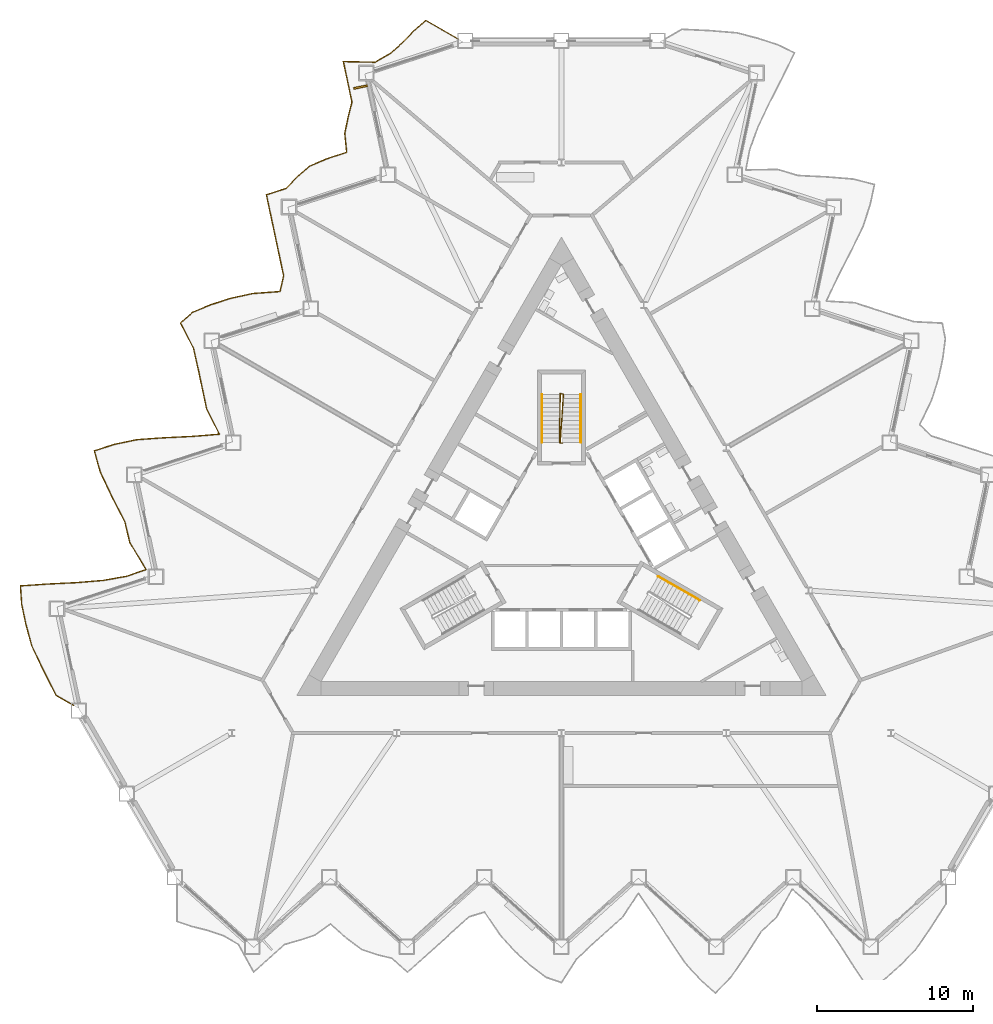
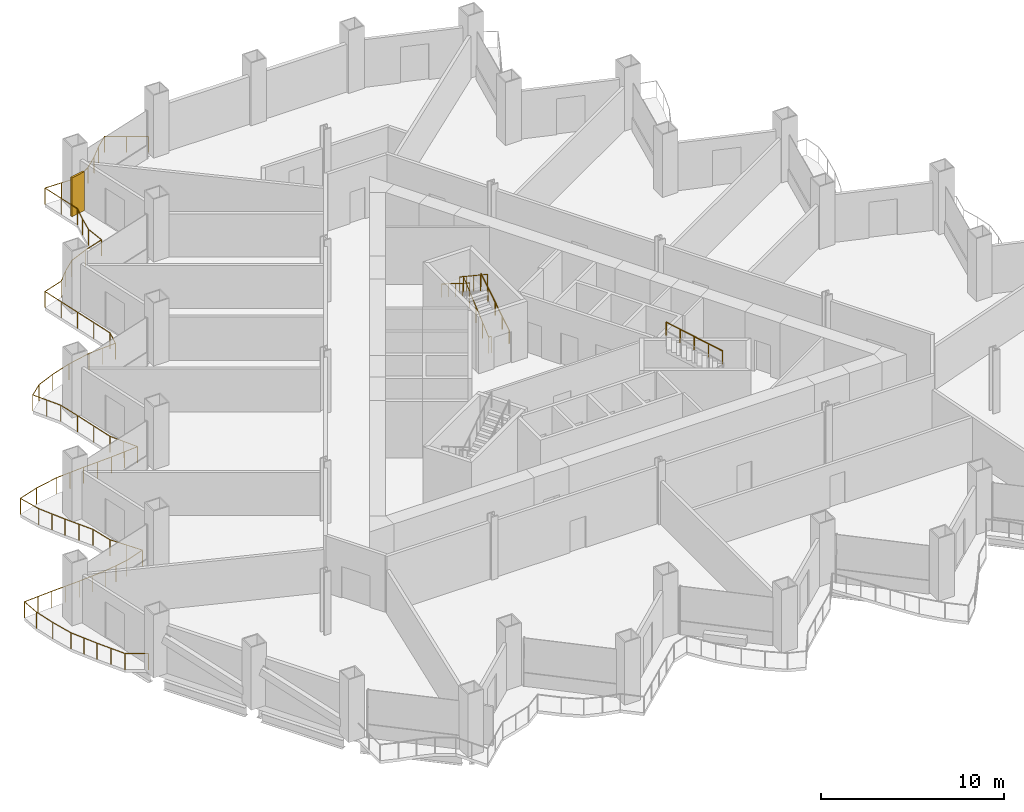
# One storey, part 18 of 21: 5 railings, 1 shading device.
"""IFC4 building model written with IfcOpenShell, lengths in metres."""

from ifc_helpers import new_model, si_unit, direction, frame, origin, origin_2d, place, context, subcontext, project, spatial, rectangle, circle, extrude, material, layer, layer_set, type_object, element, save


model = new_model("IFC4")

# Units and contexts
model_context = context("Model", 3, precision=1e-05, world=origin(), true_north=direction((0.0, 1.0)))
body_context = subcontext(model_context, "Body", "Model", "MODEL_VIEW")
ifc_project = project(units=[si_unit("LENGTHUNIT", "METRE"), si_unit("AREAUNIT", "SQUARE_METRE"), si_unit("VOLUMEUNIT", "CUBIC_METRE"), si_unit("PLANEANGLEUNIT", "RADIAN"), si_unit("MASSUNIT", "GRAM", prefix="KILO")], contexts=[model_context])

# Site, building, storey
site_placement = place(None, origin())
site = spatial("IfcSite", under=ifc_project, at=site_placement, CompositionType="ELEMENT")
building_placement = place(site_placement, origin())
building = spatial("IfcBuilding", under=site, at=building_placement, Name="Cormorant Prow Tower", CompositionType="ELEMENT")
storey_placement = place(building_placement, frame((0.0, 0.0, 76.199951171875)))
storey = spatial("IfcBuildingStorey", under=building, at=storey_placement, Name="L16", CompositionType="ELEMENT", Elevation=76.199951171875)

# Railings
ifc_material_1 = material(Name="Aluminium 6063-T6", Category="aluminium")
railing_type_1 = type_object("IfcRailingType", Name="Balcony guard 1100", PredefinedType="GUARDRAIL", material=ifc_material_1)
railing_1_placement = place(storey_placement, frame((-6.626953125, 32.349609375, 0.0)))
element("IfcRailing", 1, at=railing_1_placement, inside=storey, type_object=railing_type_1, Name="Balcony guard WNW", PredefinedType="GUARDRAIL", context=body_context, shape_type="SweptSolid", body=[
    extrude(circle(Radius=0.02392578125, at=origin_2d()), frame((0.0, 0.0, 1.076171875), z_axis=(-0.866028295127, 0.499994992015, 0.0), x_axis=(-0.499994992015, -0.866028295127, 0.0)), (0.0, 0.0, 1.0), 2.40380859375),
    extrude(circle(Radius=0.02392578125, at=origin_2d()), frame((-2.081787109375, 1.201904296875, 1.076171875), z_axis=(-0.749229047054, -0.66231098062, 0.0), x_axis=(0.66231098062, -0.749229047054, 0.0)), (0.0, 0.0, 1.0), 1.0419921875),
    extrude(circle(Radius=0.02392578125, at=origin_2d()), frame((-2.862548828125, 0.51171875, 1.076171875), z_axis=(-0.69342501666, -0.720528796281, 0.0), x_axis=(0.720528796281, -0.69342501666, 0.0)), (0.0, 0.0, 1.0), 1.017822265625),
    extrude(circle(Radius=0.02392578125, at=origin_2d()), frame((-3.568359375, -0.2216796875, 1.076171875), z_axis=(-0.748365447729, -0.663286632343, 0.0), x_axis=(0.663286632343, -0.748365447729, 0.0)), (0.0, 0.0, 1.0), 1.041748046875),
    extrude(circle(Radius=0.02392578125, at=origin_2d()), frame((-4.347900390625, -0.91259765625, 1.076171875), z_axis=(-0.863584291732, -0.504204493309, 0.0), x_axis=(0.504204493309, -0.863584291732, 0.0)), (0.0, 0.0, 1.0), 1.137939453125),
    extrude(circle(Radius=0.02392578125, at=origin_2d()), frame((-5.33056640625, -1.486328125, 1.076171875), z_axis=(-0.999789979048, 0.020493847741, 0.0), x_axis=(-0.020493847741, -0.999789979048, 0.0)), (0.0, 0.0, 1.0), 2.049072265625),
    extrude(circle(Radius=0.02392578125, at=origin_2d()), frame((-7.379150390625, -1.4443359375, 1.076171875), z_axis=(0.207860951936, -0.978158384241, 0.0), x_axis=(0.978158384241, 0.207860951936, 0.0)), (0.0, 0.0, 1.0), 1.32958984375),
    extrude(circle(Radius=0.02392578125, at=origin_2d()), frame((-7.102783203125, -2.744873046875, 1.076171875), z_axis=(0.208036630987, -0.978121035541, 0.0), x_axis=(0.978121035541, 0.208036630987, 0.0)), (0.0, 0.0, 1.0), 1.32958984375),
    extrude(circle(Radius=0.02392578125, at=origin_2d()), frame((-6.826171875, -4.04541015625, 1.076171875), z_axis=(-0.244828025554, -0.969566520618, 0.0), x_axis=(0.969566520618, -0.244828025554, 0.0)), (0.0, 0.0, 1.0), 1.027099609375),
    extrude(circle(Radius=0.02392578125, at=origin_2d()), frame((-7.07763671875, -5.041259765625, 1.076171875), z_axis=(-0.202698696086, -0.979241154469, 0.0), x_axis=(0.979241154469, -0.202698696086, 0.0)), (0.0, 0.0, 1.0), 1.04052734375),
    extrude(circle(Radius=0.02392578125, at=origin_2d()), frame((-7.28857421875, -6.060302734375, 1.076171875), z_axis=(0.10063500959, -0.994923411547, 0.0), x_axis=(0.994923411547, 0.10063500959, 0.0)), (0.0, 0.0, 1.0), 1.2177734375),
    extrude(circle(Radius=0.02392578125, at=origin_2d()), frame((-7.166015625, -7.27197265625, 1.076171875), z_axis=(-0.951061050214, -0.30900304006, 0.0), x_axis=(0.30900304006, -0.951061050214, 0.0)), (0.0, 0.0, 1.0), 1.329833984375),
    extrude(circle(Radius=0.02392578125, at=origin_2d()), frame((-8.4306640625, -7.682861328125, 1.076171875), z_axis=(-0.919052898332, -0.394134203117, 0.0), x_axis=(0.394134203117, -0.919052898332, 0.0)), (0.0, 0.0, 1.0), 1.23388671875),
    extrude(circle(Radius=0.02392578125, at=origin_2d()), frame((-9.564697265625, -8.169189453125, 1.076171875), z_axis=(-0.752663621362, -0.658405249886, 0.0), x_axis=(0.658405249886, -0.752663621362, 0.0)), (0.0, 0.0, 1.0), 1.043701171875),
    extrude(circle(Radius=0.02392578125, at=origin_2d()), frame((-10.350341796875, -8.8564453125, 1.076171875), z_axis=(-0.69342501666, -0.720528796281, 0.0), x_axis=(0.720528796281, -0.69342501666, 0.0)), (0.0, 0.0, 1.0), 1.017822265625),
    extrude(circle(Radius=0.02392578125, at=origin_2d()), frame((-11.05615234375, -9.58984375, 1.076171875), z_axis=(-0.950811038032, -0.309771480217, 0.0), x_axis=(0.309771480217, -0.950811038032, 0.0)), (0.0, 0.0, 1.0), 1.328857421875),
    extrude(circle(Radius=0.02392578125, at=origin_2d()), frame((-12.319580078125, -10.00146484375, 1.076171875), z_axis=(0.207860951936, -0.978158384241, 0.0), x_axis=(0.978158384241, 0.207860951936, 0.0)), (0.0, 0.0, 1.0), 1.32958984375),
    extrude(circle(Radius=0.02392578125, at=origin_2d()), frame((-12.043212890625, -11.302001953125, 1.076171875), z_axis=(0.207860951936, -0.978158384241, 0.0), x_axis=(0.978158384241, 0.207860951936, 0.0)), (0.0, 0.0, 1.0), 1.32958984375),
    extrude(circle(Radius=0.02392578125, at=origin_2d()), frame((-11.766845703125, -12.6025390625, 1.076171875), z_axis=(0.208036630987, -0.978121035541, 0.0), x_axis=(0.978121035541, 0.208036630987, 0.0)), (0.0, 0.0, 1.0), 1.32958984375),
    extrude(circle(Radius=0.02392578125, at=origin_2d()), frame((-11.490234375, -13.903076171875, 1.076171875), z_axis=(0.207860951936, -0.978158384241, 0.0), x_axis=(0.978158384241, 0.207860951936, 0.0)), (0.0, 0.0, 1.0), 1.32958984375),
    extrude(circle(Radius=0.02392578125, at=origin_2d()), frame((-11.2138671875, -15.20361328125, 1.076171875), z_axis=(-0.225204666395, -0.974311479063, 0.0), x_axis=(0.974311479063, -0.225204666395, 0.0)), (0.0, 0.0, 1.0), 1.033203125),
    extrude(circle(Radius=0.02392578125, at=origin_2d()), frame((-11.446533203125, -16.210205078125, 1.076171875), z_axis=(-0.99740849321, -0.071946491727, 0.0), x_axis=(0.071946491727, -0.99740849321, 0.0)), (0.0, 0.0, 1.0), 1.76123046875),
    extrude(circle(Radius=0.02392578125, at=origin_2d()), frame((-13.203125, -16.3369140625, 1.076171875), z_axis=(-0.976809779514, -0.214108978431, 0.0), x_axis=(0.214108978431, -0.976809779514, 0.0)), (0.0, 0.0, 1.0), 1.46630859375),
    extrude(circle(Radius=0.02392578125, at=origin_2d()), frame((-14.635498046875, -16.65087890625, 1.076171875), z_axis=(-0.951061050214, -0.30900304006, 0.0), x_axis=(0.30900304006, -0.951061050214, 0.0)), (0.0, 0.0, 1.0), 1.329833984375),
    extrude(circle(Radius=0.02392578125, at=origin_2d()), frame((-15.900146484375, -17.061767578125, 1.076171875), z_axis=(-0.922861789868, -0.385131298134, 0.0), x_axis=(0.385131298134, -0.922861789868, 0.0)), (0.0, 0.0, 1.0), 1.2431640625),
    extrude(circle(Radius=0.02392578125, at=origin_2d()), frame((-17.04736328125, -17.54052734375, 1.076171875), z_axis=(-0.756281985807, -0.654245793218, 0.0), x_axis=(0.654245793218, -0.756281985807, 0.0)), (0.0, 0.0, 1.0), 1.045654296875),
    extrude(circle(Radius=0.02392578125, at=origin_2d()), frame((-17.838134765625, -18.224609375, 1.076171875), z_axis=(0.457456812762, -0.889231839544, 0.0), x_axis=(0.889231839544, 0.457456812762, 0.0)), (0.0, 0.0, 1.0), 1.8251953125),
    extrude(circle(Radius=0.02392578125, at=origin_2d()), frame((-17.003173828125, -19.84765625, 1.076171875), z_axis=(0.220216293371, -0.975451067011, 0.0), x_axis=(0.975451067011, 0.220216293371, 0.0)), (0.0, 0.0, 1.0), 1.3447265625),
    extrude(circle(Radius=0.02392578125, at=origin_2d()), frame((-16.70703125, -21.159423828125, 1.076171875), z_axis=(0.20782362414, -0.97816631574, 0.0), x_axis=(0.97816631574, 0.20782362414, 0.0)), (0.0, 0.0, 1.0), 1.329833984375),
    extrude(circle(Radius=0.02392578125, at=origin_2d()), frame((-16.4306640625, -22.460205078125, 1.076171875), z_axis=(0.20789829284, -0.978150448466, 0.0), x_axis=(0.978150448466, 0.20789829284, 0.0)), (0.0, 0.0, 1.0), 1.329345703125),
    extrude(circle(Radius=0.02392578125, at=origin_2d()), frame((-16.154296875, -23.760498046875, 1.076171875), z_axis=(0.451264702249, -0.892390143662, 0.0), x_axis=(0.892390143662, 0.451264702249, 0.0)), (0.0, 0.0, 1.0), 1.805908203125),
    extrude(circle(Radius=0.02392578125, at=origin_2d()), frame((-15.33935546875, -25.3720703125, 1.076171875), z_axis=(-0.996800099834, -0.079934729446, 0.0), x_axis=(0.079934729446, -0.996800099834, 0.0)), (0.0, 0.0, 1.0), 1.740966796875),
    extrude(circle(Radius=0.02392578125, at=origin_2d()), frame((-17.07470703125, -25.51123046875, 1.076171875), z_axis=(-0.998826599555, -0.048429577959, 0.0), x_axis=(0.048429577959, -0.998826599555, 0.0)), (0.0, 0.0, 1.0), 1.824951171875),
    extrude(circle(Radius=0.02392578125, at=origin_2d()), frame((-18.8974609375, -25.599609375, 1.076171875), z_axis=(-0.997529791379, -0.070244681733, 0.0), x_axis=(0.070244681733, -0.997529791379, 0.0)), (0.0, 0.0, 1.0), 1.765625),
    extrude(circle(Radius=0.02392578125, at=origin_2d()), frame((-20.65869140625, -25.7236328125, 1.076171875), z_axis=(-0.978321400037, -0.207092342277, 0.0), x_axis=(0.207092342277, -0.978321400037, 0.0)), (0.0, 0.0, 1.0), 1.478271484375),
    extrude(circle(Radius=0.02392578125, at=origin_2d()), frame((-22.10498046875, -26.02978515625, 1.076171875), z_axis=(-0.95111499602, -0.308836954306, 0.0), x_axis=(0.308836954306, -0.95111499602, 0.0)), (0.0, 0.0, 1.0), 1.32958984375),
    extrude(circle(Radius=0.02392578125, at=origin_2d()), frame((-23.36962890625, -26.4404296875, 1.076171875), z_axis=(0.26962992552, -0.962964019714, 0.0), x_axis=(0.962964019714, 0.26962992552, 0.0)), (0.0, 0.0, 1.0), 1.413330078125),
    extrude(circle(Radius=0.02392578125, at=origin_2d()), frame((-22.988525390625, -27.801513671875, 1.076171875), z_axis=(0.428351961021, -0.903611972856, 0.0), x_axis=(0.903611972856, 0.428351961021, 0.0)), (0.0, 0.0, 1.0), 1.73828125),
    extrude(circle(Radius=0.02392578125, at=origin_2d()), frame((-22.243896484375, -29.372314453125, 1.076171875), z_axis=(0.457299643133, -0.889312676391, 0.0), x_axis=(0.889312676391, 0.457299643133, 0.0)), (0.0, 0.0, 1.0), 1.82470703125),
    extrude(circle(Radius=0.02392578125, at=origin_2d()), frame((-21.409423828125, -30.9951171875, 1.076171875), z_axis=(0.231491035734, -0.972837036905, 0.0), x_axis=(0.972837036905, 0.231491035734, 0.0)), (0.0, 0.0, 1.0), 1.359375),
    extrude(circle(Radius=0.02392578125, at=origin_2d()), frame((-21.0947265625, -32.317626953125, 1.076171875), z_axis=(0.513718349829, -0.857958890069, 0.0), x_axis=(0.857958890069, 0.513718349829, 0.0)), (0.0, 0.0, 1.0), 2.03271484375),
    extrude(circle(Radius=0.02392578125, at=origin_2d()), frame((-20.050537109375, -34.0615234375, 1.076171875), z_axis=(-0.944114864762, -0.329616629034, 0.0), x_axis=(0.329616629034, -0.944114864762, 0.0)), (0.0, 0.0, 1.0), 1.304443359375),
    extrude(circle(Radius=0.02392578125, at=origin_2d()), frame((-21.281982421875, -34.491455078125, 1.076171875), z_axis=(-0.984823497026, -0.173558865245, 0.0), x_axis=(0.173558865245, -0.984823497026, 0.0)), (0.0, 0.0, 1.0), 1.53759765625),
    extrude(circle(Radius=0.02392578125, at=origin_2d()), frame((-22.796142578125, -34.75830078125, 1.076171875), z_axis=(-0.996643990798, -0.08185814319, 0.0), x_axis=(0.08185814319, -0.996643990798, 0.0)), (0.0, 0.0, 1.0), 1.73583984375),
    extrude(circle(Radius=0.02392578125, at=origin_2d()), frame((-24.526123046875, -34.900390625, 1.076171875), z_axis=(-0.998812986375, -0.048709529346, 0.0), x_axis=(0.048709529346, -0.998812986375, 0.0)), (0.0, 0.0, 1.0), 1.824462890625),
    extrude(circle(Radius=0.02392578125, at=origin_2d()), frame((-26.348388671875, -34.9892578125, 1.076171875), z_axis=(-0.99763750606, -0.068697936673, 0.0), x_axis=(0.068697936673, -0.99763750606, 0.0)), (0.0, 0.0, 1.0), 1.769775390625),
    extrude(circle(Radius=0.02392578125, at=origin_2d()), frame((-28.114013671875, -35.11083984375, 1.076171875), z_axis=(0.067703641189, -0.997705476065, 0.0), x_axis=(0.997705476065, 0.067703641189, 0.0)), (0.0, 0.0, 1.0), 1.18994140625),
    extrude(circle(Radius=0.02392578125, at=origin_2d()), frame((-28.033447265625, -36.298095703125, 1.076171875), z_axis=(0.207860951936, -0.978158384241, 0.0), x_axis=(0.978158384241, 0.207860951936, 0.0)), (0.0, 0.0, 1.0), 1.32958984375),
    extrude(circle(Radius=0.02392578125, at=origin_2d()), frame((-27.757080078125, -37.5986328125, 1.076171875), z_axis=(0.262587292326, -0.964908241186, 0.0), x_axis=(0.964908241186, 0.262587292326, 0.0)), (0.0, 0.0, 1.0), 1.403076171875),
    extrude(circle(Radius=0.02392578125, at=origin_2d()), frame((-27.388671875, -38.952392578125, 1.076171875), z_axis=(0.426529537736, -0.904473633357, 0.0), x_axis=(0.904473633357, 0.426529537736, 0.0)), (0.0, 0.0, 1.0), 1.733154296875),
    extrude(circle(Radius=0.02392578125, at=origin_2d()), frame((-26.6494140625, -40.52001953125, 1.076171875), z_axis=(0.457036516132, -0.889447931541, 0.0), x_axis=(0.889447931541, 0.457036516132, 0.0)), (0.0, 0.0, 1.0), 1.82421875),
    extrude(circle(Radius=0.02392578125, at=origin_2d()), frame((-25.815673828125, -42.142578125, 1.076171875), z_axis=(0.86604962328, -0.499958048256, 0.0), x_axis=(0.499958048256, 0.86604962328, 0.0)), (0.0, 0.0, 1.0), 1.28564453125),
    extrude(circle(Radius=0.02099609375, at=origin_2d()), origin(), (0.0, 0.0, 1.0), 1.052001953125),
    extrude(circle(Radius=0.02099609375, at=origin_2d()), frame((-1.041015625, 0.60107421875, 0.0)), (0.0, 0.0, 1.0), 1.052001953125),
    extrude(circle(Radius=0.02099609375, at=origin_2d()), frame((-2.081787109375, 1.201904296875, 0.0)), (0.0, 0.0, 1.0), 1.052001953125),
    extrude(circle(Radius=0.02099609375, at=origin_2d()), frame((-2.862548828125, 0.51171875, 0.0)), (0.0, 0.0, 1.0), 1.052001953125),
    extrude(circle(Radius=0.02099609375, at=origin_2d()), frame((-3.568359375, -0.2216796875, 0.0)), (0.0, 0.0, 1.0), 1.052001953125),
    extrude(circle(Radius=0.02099609375, at=origin_2d()), frame((-4.347900390625, -0.91259765625, 0.0)), (0.0, 0.0, 1.0), 1.052001953125),
    extrude(circle(Radius=0.02099609375, at=origin_2d()), frame((-5.33056640625, -1.486328125, 0.0)), (0.0, 0.0, 1.0), 1.052001953125),
    extrude(circle(Radius=0.02099609375, at=origin_2d()), frame((-6.35498046875, -1.46533203125, 0.0)), (0.0, 0.0, 1.0), 1.052001953125),
    extrude(circle(Radius=0.02099609375, at=origin_2d()), frame((-7.379150390625, -1.4443359375, 0.0)), (0.0, 0.0, 1.0), 1.052001953125),
    extrude(circle(Radius=0.02099609375, at=origin_2d()), frame((-7.102783203125, -2.744873046875, 0.0)), (0.0, 0.0, 1.0), 1.052001953125),
    extrude(circle(Radius=0.02099609375, at=origin_2d()), frame((-6.826171875, -4.04541015625, 0.0)), (0.0, 0.0, 1.0), 1.052001953125),
    extrude(circle(Radius=0.02099609375, at=origin_2d()), frame((-7.07763671875, -5.041259765625, 0.0)), (0.0, 0.0, 1.0), 1.052001953125),
    extrude(circle(Radius=0.02099609375, at=origin_2d()), frame((-7.28857421875, -6.060302734375, 0.0)), (0.0, 0.0, 1.0), 1.052001953125),
    extrude(circle(Radius=0.02099609375, at=origin_2d()), frame((-7.166015625, -7.27197265625, 0.0)), (0.0, 0.0, 1.0), 1.052001953125),
    extrude(circle(Radius=0.02099609375, at=origin_2d()), frame((-8.4306640625, -7.682861328125, 0.0)), (0.0, 0.0, 1.0), 1.052001953125),
    extrude(circle(Radius=0.02099609375, at=origin_2d()), frame((-9.564697265625, -8.169189453125, 0.0)), (0.0, 0.0, 1.0), 1.052001953125),
    extrude(circle(Radius=0.02099609375, at=origin_2d()), frame((-10.350341796875, -8.8564453125, 0.0)), (0.0, 0.0, 1.0), 1.052001953125),
    extrude(circle(Radius=0.02099609375, at=origin_2d()), frame((-11.05615234375, -9.58984375, 0.0)), (0.0, 0.0, 1.0), 1.052001953125),
    extrude(circle(Radius=0.02099609375, at=origin_2d()), frame((-12.319580078125, -10.00146484375, 0.0)), (0.0, 0.0, 1.0), 1.052001953125),
    extrude(circle(Radius=0.02099609375, at=origin_2d()), frame((-12.043212890625, -11.302001953125, 0.0)), (0.0, 0.0, 1.0), 1.052001953125),
    extrude(circle(Radius=0.02099609375, at=origin_2d()), frame((-11.766845703125, -12.6025390625, 0.0)), (0.0, 0.0, 1.0), 1.052001953125),
    extrude(circle(Radius=0.02099609375, at=origin_2d()), frame((-11.490234375, -13.903076171875, 0.0)), (0.0, 0.0, 1.0), 1.052001953125),
    extrude(circle(Radius=0.02099609375, at=origin_2d()), frame((-11.2138671875, -15.20361328125, 0.0)), (0.0, 0.0, 1.0), 1.052001953125),
    extrude(circle(Radius=0.02099609375, at=origin_2d()), frame((-11.446533203125, -16.210205078125, 0.0)), (0.0, 0.0, 1.0), 1.052001953125),
    extrude(circle(Radius=0.02099609375, at=origin_2d()), frame((-12.32470703125, -16.2734375, 0.0)), (0.0, 0.0, 1.0), 1.052001953125),
    extrude(circle(Radius=0.02099609375, at=origin_2d()), frame((-13.203125, -16.3369140625, 0.0)), (0.0, 0.0, 1.0), 1.052001953125),
    extrude(circle(Radius=0.02099609375, at=origin_2d()), frame((-14.635498046875, -16.65087890625, 0.0)), (0.0, 0.0, 1.0), 1.052001953125),
    extrude(circle(Radius=0.02099609375, at=origin_2d()), frame((-15.900146484375, -17.061767578125, 0.0)), (0.0, 0.0, 1.0), 1.052001953125),
    extrude(circle(Radius=0.02099609375, at=origin_2d()), frame((-17.04736328125, -17.54052734375, 0.0)), (0.0, 0.0, 1.0), 1.052001953125),
    extrude(circle(Radius=0.02099609375, at=origin_2d()), frame((-17.838134765625, -18.224609375, 0.0)), (0.0, 0.0, 1.0), 1.052001953125),
    extrude(circle(Radius=0.02099609375, at=origin_2d()), frame((-17.420654296875, -19.0361328125, 0.0)), (0.0, 0.0, 1.0), 1.052001953125),
    extrude(circle(Radius=0.02099609375, at=origin_2d()), frame((-17.003173828125, -19.84765625, 0.0)), (0.0, 0.0, 1.0), 1.052001953125),
    extrude(circle(Radius=0.02099609375, at=origin_2d()), frame((-16.70703125, -21.159423828125, 0.0)), (0.0, 0.0, 1.0), 1.052001953125),
    extrude(circle(Radius=0.02099609375, at=origin_2d()), frame((-16.4306640625, -22.460205078125, 0.0)), (0.0, 0.0, 1.0), 1.052001953125),
    extrude(circle(Radius=0.02099609375, at=origin_2d()), frame((-16.154296875, -23.760498046875, 0.0)), (0.0, 0.0, 1.0), 1.052001953125),
    extrude(circle(Radius=0.02099609375, at=origin_2d()), frame((-15.746826171875, -24.56640625, 0.0)), (0.0, 0.0, 1.0), 1.052001953125),
    extrude(circle(Radius=0.02099609375, at=origin_2d()), frame((-15.33935546875, -25.3720703125, 0.0)), (0.0, 0.0, 1.0), 1.052001953125),
    extrude(circle(Radius=0.02099609375, at=origin_2d()), frame((-16.20703125, -25.441650390625, 0.0)), (0.0, 0.0, 1.0), 1.052001953125),
    extrude(circle(Radius=0.02099609375, at=origin_2d()), frame((-17.07470703125, -25.51123046875, 0.0)), (0.0, 0.0, 1.0), 1.052001953125),
    extrude(circle(Radius=0.02099609375, at=origin_2d()), frame((-17.986083984375, -25.555419921875, 0.0)), (0.0, 0.0, 1.0), 1.052001953125),
    extrude(circle(Radius=0.02099609375, at=origin_2d()), frame((-18.8974609375, -25.599609375, 0.0)), (0.0, 0.0, 1.0), 1.052001953125),
    extrude(circle(Radius=0.02099609375, at=origin_2d()), frame((-19.778076171875, -25.66162109375, 0.0)), (0.0, 0.0, 1.0), 1.052001953125),
    extrude(circle(Radius=0.02099609375, at=origin_2d()), frame((-20.65869140625, -25.7236328125, 0.0)), (0.0, 0.0, 1.0), 1.052001953125),
    extrude(circle(Radius=0.02099609375, at=origin_2d()), frame((-22.10498046875, -26.02978515625, 0.0)), (0.0, 0.0, 1.0), 1.052001953125),
    extrude(circle(Radius=0.02099609375, at=origin_2d()), frame((-23.36962890625, -26.4404296875, 0.0)), (0.0, 0.0, 1.0), 1.052001953125),
    extrude(circle(Radius=0.02099609375, at=origin_2d()), frame((-22.988525390625, -27.801513671875, 0.0)), (0.0, 0.0, 1.0), 1.052001953125),
    extrude(circle(Radius=0.02099609375, at=origin_2d()), frame((-22.6162109375, -28.5869140625, 0.0)), (0.0, 0.0, 1.0), 1.052001953125),
    extrude(circle(Radius=0.02099609375, at=origin_2d()), frame((-22.243896484375, -29.372314453125, 0.0)), (0.0, 0.0, 1.0), 1.052001953125),
    extrude(circle(Radius=0.02099609375, at=origin_2d()), frame((-21.82666015625, -30.18359375, 0.0)), (0.0, 0.0, 1.0), 1.052001953125),
    extrude(circle(Radius=0.02099609375, at=origin_2d()), frame((-21.409423828125, -30.9951171875, 0.0)), (0.0, 0.0, 1.0), 1.052001953125),
    extrude(circle(Radius=0.02099609375, at=origin_2d()), frame((-21.0947265625, -32.317626953125, 0.0)), (0.0, 0.0, 1.0), 1.052001953125),
    extrude(circle(Radius=0.02099609375, at=origin_2d()), frame((-20.57275390625, -33.189453125, 0.0)), (0.0, 0.0, 1.0), 1.052001953125),
    extrude(circle(Radius=0.02099609375, at=origin_2d()), frame((-20.050537109375, -34.0615234375, 0.0)), (0.0, 0.0, 1.0), 1.052001953125),
    extrude(circle(Radius=0.02099609375, at=origin_2d()), frame((-21.281982421875, -34.491455078125, 0.0)), (0.0, 0.0, 1.0), 1.052001953125),
    extrude(circle(Radius=0.02099609375, at=origin_2d()), frame((-22.0390625, -34.625, 0.0)), (0.0, 0.0, 1.0), 1.052001953125),
    extrude(circle(Radius=0.02099609375, at=origin_2d()), frame((-22.796142578125, -34.75830078125, 0.0)), (0.0, 0.0, 1.0), 1.052001953125),
    extrude(circle(Radius=0.02099609375, at=origin_2d()), frame((-23.6611328125, -34.829345703125, 0.0)), (0.0, 0.0, 1.0), 1.052001953125),
    extrude(circle(Radius=0.02099609375, at=origin_2d()), frame((-24.526123046875, -34.900390625, 0.0)), (0.0, 0.0, 1.0), 1.052001953125),
    extrude(circle(Radius=0.02099609375, at=origin_2d()), frame((-25.437255859375, -34.94482421875, 0.0)), (0.0, 0.0, 1.0), 1.052001953125),
    extrude(circle(Radius=0.02099609375, at=origin_2d()), frame((-26.348388671875, -34.9892578125, 0.0)), (0.0, 0.0, 1.0), 1.052001953125),
    extrude(circle(Radius=0.02099609375, at=origin_2d()), frame((-27.231201171875, -35.050048828125, 0.0)), (0.0, 0.0, 1.0), 1.052001953125),
    extrude(circle(Radius=0.02099609375, at=origin_2d()), frame((-28.114013671875, -35.11083984375, 0.0)), (0.0, 0.0, 1.0), 1.052001953125),
    extrude(circle(Radius=0.02099609375, at=origin_2d()), frame((-28.033447265625, -36.298095703125, 0.0)), (0.0, 0.0, 1.0), 1.052001953125),
    extrude(circle(Radius=0.02099609375, at=origin_2d()), frame((-27.757080078125, -37.5986328125, 0.0)), (0.0, 0.0, 1.0), 1.052001953125),
    extrude(circle(Radius=0.02099609375, at=origin_2d()), frame((-27.388671875, -38.952392578125, 0.0)), (0.0, 0.0, 1.0), 1.052001953125),
    extrude(circle(Radius=0.02099609375, at=origin_2d()), frame((-27.01904296875, -39.736328125, 0.0)), (0.0, 0.0, 1.0), 1.052001953125),
    extrude(circle(Radius=0.02099609375, at=origin_2d()), frame((-26.6494140625, -40.52001953125, 0.0)), (0.0, 0.0, 1.0), 1.052001953125),
    extrude(circle(Radius=0.02099609375, at=origin_2d()), frame((-26.232421875, -41.331298828125, 0.0)), (0.0, 0.0, 1.0), 1.052001953125),
    extrude(circle(Radius=0.02099609375, at=origin_2d()), frame((-25.815673828125, -42.142578125, 0.0)), (0.0, 0.0, 1.0), 1.052001953125),
    extrude(circle(Radius=0.02099609375, at=origin_2d()), frame((-24.7021484375, -42.785400390625, 0.0)), (0.0, 0.0, 1.0), 1.052001953125),
])
ifc_material_2 = material(Name="Stainless steel", Category="steel")
railing_type_2 = type_object("IfcRailingType", Name="Stair guard 1100", PredefinedType="GUARDRAIL", material=ifc_material_2)
railing_2_placement = place(storey_placement, frame((0.074951171875, 6.40576171875, 0.0)))
element("IfcRailing", 2, at=railing_2_placement, inside=storey, type_object=railing_type_2, Name="L16 ST3 stair guard 1", PredefinedType="GUARDRAIL", context=body_context, shape_type="SweptSolid", body=[
    extrude(circle(Radius=0.02392578125, at=origin_2d()), frame((0.0, 0.0, 1.076171875), z_axis=(-1.0, 0.0, 0.0), x_axis=(0.0, -1.0, 0.0)), (0.0, 0.0, 1.0), 0.14990234375),
    extrude(circle(Radius=0.02392578125, at=origin_2d()), frame((-0.14990234375, 0.0, 1.076171875), z_axis=(0.052971918151, 0.829246596605, 0.556366837532), x_axis=(-0.997965923181, 0.063749636618, 0.0)), (0.0, 0.0, 1.0), 3.774658203125),
    extrude(circle(Radius=0.02392578125, at=origin_2d()), frame((0.050048828125, 3.130126953125, 3.17626953125), z_axis=(-0.970072785993, 0.242814311512, 0.0), x_axis=(-0.242814311512, -0.970072785993, 0.0)), (0.0, 0.0, 1.0), 0.2060546875),
    extrude(circle(Radius=0.02392578125, at=origin_2d()), frame((-0.14990234375, 3.18017578125, 3.17626953125), z_axis=(-0.013277099958, -0.830369261271, 0.557055301162), x_axis=(0.999872194171, -0.015987348866, 0.0)), (0.0, 0.0, 1.0), 3.76953125),
    extrude(circle(Radius=0.02099609375, at=origin_2d()), origin(), (0.0, 0.0, 1.0), 1.052001953125),
    extrude(circle(Radius=0.02099609375, at=origin_2d()), frame((-0.14990234375, 0.0, 0.0)), (0.0, 0.0, 1.0), 1.052001953125),
    extrude(circle(Radius=0.02099609375, at=origin_2d()), frame((-0.099853515625, 0.782470703125, 0.52490234375)), (0.0, 0.0, 1.0), 1.052001953125),
    extrude(circle(Radius=0.02099609375, at=origin_2d()), frame((-0.0498046875, 1.56494140625, 1.050048828125)), (0.0, 0.0, 1.0), 1.052001953125),
    extrude(circle(Radius=0.02099609375, at=origin_2d()), frame((0.0, 2.34765625, 1.5751953125)), (0.0, 0.0, 1.0), 1.052001953125),
    extrude(circle(Radius=0.02099609375, at=origin_2d()), frame((0.050048828125, 3.130126953125, 2.10009765625)), (0.0, 0.0, 1.0), 1.052001953125),
    extrude(circle(Radius=0.02099609375, at=origin_2d()), frame((-0.14990234375, 3.18017578125, 2.10009765625)), (0.0, 0.0, 1.0), 1.052001953125),
    extrude(circle(Radius=0.02099609375, at=origin_2d()), frame((-0.162353515625, 2.397705078125, 2.625)), (0.0, 0.0, 1.0), 1.052001953125),
    extrude(circle(Radius=0.02099609375, at=origin_2d()), frame((-0.1748046875, 1.615234375, 3.14990234375)), (0.0, 0.0, 1.0), 1.052001953125),
    extrude(circle(Radius=0.02099609375, at=origin_2d()), frame((-0.1875, 0.83251953125, 3.675048828125)), (0.0, 0.0, 1.0), 1.052001953125),
    extrude(circle(Radius=0.02099609375, at=origin_2d()), frame((-0.199951171875, 0.050048828125, 4.199951171875)), (0.0, 0.0, 1.0), 1.052001953125),
])
ifc_material_3 = material(Name="Stainless steel", Category="steel")
railing_type_3 = type_object("IfcRailingType", Name="Stair handrail 900", PredefinedType="HANDRAIL", material=ifc_material_3)
railing_3_placement = place(storey_placement, frame((8.88037109375, -3.690673828125, 2.275146484375)))
element("IfcRailing", 3, at=railing_3_placement, inside=storey, type_object=railing_type_3, Name="L16 ST2 stair handrail 2", PredefinedType="HANDRAIL", context=body_context, shape_type="SweptSolid", body=[
    extrude(circle(Radius=0.02392578125, at=origin_2d()), frame((0.0, 0.0, 0.8759765625), z_axis=(-0.734421155904, 0.424009578203, 0.529944755001), x_axis=(-0.499992328818, -0.866029832698, 0.0)), (0.0, 0.0, 1.0), 3.632080078125),
    extrude(circle(Radius=0.02099609375, at=origin_2d()), origin(), (0.0, 0.0, 1.0), 0.851806640625),
    extrude(circle(Radius=0.02099609375, at=origin_2d()), frame((-0.6669921875, 0.385009765625, 0.481201171875)), (0.0, 0.0, 1.0), 0.851806640625),
    extrude(circle(Radius=0.02099609375, at=origin_2d()), frame((-1.333740234375, 0.77001953125, 0.96240234375)), (0.0, 0.0, 1.0), 0.851806640625),
    extrude(circle(Radius=0.02099609375, at=origin_2d()), frame((-2.00048828125, 1.155029296875, 1.443603515625)), (0.0, 0.0, 1.0), 0.851806640625),
    extrude(circle(Radius=0.02099609375, at=origin_2d()), frame((-2.66748046875, 1.5400390625, 1.9248046875)), (0.0, 0.0, 1.0), 0.851806640625),
])
railing_4_placement = place(storey_placement, frame((1.243896484375, 6.455810546875, 0.175048828125)))
element("IfcRailing", 4, at=railing_4_placement, inside=storey, type_object=railing_type_3, Name="L16 ST3 stair handrail 1", PredefinedType="HANDRAIL", context=body_context, shape_type="SweptSolid", body=[
    extrude(circle(Radius=0.02392578125, at=origin_2d()), frame((0.0, 0.0, 0.8759765625), z_axis=(0.0, 0.847998304005, 0.529998940003), x_axis=(-1.0, 0.0, 0.0)), (0.0, 0.0, 1.0), 3.632080078125),
    extrude(circle(Radius=0.02099609375, at=origin_2d()), origin(), (0.0, 0.0, 1.0), 0.851806640625),
    extrude(circle(Radius=0.02099609375, at=origin_2d()), frame((0.0, 0.77001953125, 0.481201171875)), (0.0, 0.0, 1.0), 0.851806640625),
    extrude(circle(Radius=0.02099609375, at=origin_2d()), frame((0.0, 1.5400390625, 0.96240234375)), (0.0, 0.0, 1.0), 0.851806640625),
    extrude(circle(Radius=0.02099609375, at=origin_2d()), frame((0.0, 2.31005859375, 1.44384765625)), (0.0, 0.0, 1.0), 0.851806640625),
    extrude(circle(Radius=0.02099609375, at=origin_2d()), frame((0.0, 3.080078125, 1.925048828125)), (0.0, 0.0, 1.0), 0.851806640625),
])
railing_5_placement = place(storey_placement, frame((-1.243896484375, 9.535888671875, 2.275146484375)))
element("IfcRailing", 5, at=railing_5_placement, inside=storey, type_object=railing_type_3, Name="L16 ST3 stair handrail 2", PredefinedType="HANDRAIL", context=body_context, shape_type="SweptSolid", body=[
    extrude(circle(Radius=0.02392578125, at=origin_2d()), frame((0.0, 0.0, 0.8759765625), z_axis=(0.0, -0.848028513186, 0.529950602248), x_axis=(1.0, 0.0, 0.0)), (0.0, 0.0, 1.0), 3.632080078125),
    extrude(circle(Radius=0.02099609375, at=origin_2d()), origin(), (0.0, 0.0, 1.0), 0.851806640625),
    extrude(circle(Radius=0.02099609375, at=origin_2d()), frame((0.0, -0.77001953125, 0.481201171875)), (0.0, 0.0, 1.0), 0.851806640625),
    extrude(circle(Radius=0.02099609375, at=origin_2d()), frame((0.0, -1.5400390625, 0.96240234375)), (0.0, 0.0, 1.0), 0.851806640625),
    extrude(circle(Radius=0.02099609375, at=origin_2d()), frame((0.0, -2.31005859375, 1.443603515625)), (0.0, 0.0, 1.0), 0.851806640625),
    extrude(circle(Radius=0.02099609375, at=origin_2d()), frame((0.0, -3.080078125, 1.9248046875)), (0.0, 0.0, 1.0), 0.851806640625),
])

# Shading device
ifc_material_4 = material(Name="Terracotta", Category="masonry")
ifc_layer = layer(ifc_material_4, 0.1201171875)
ifc_layer_set = layer_set([ifc_layer], Name="Terracotta")
shading_device_type = type_object("IfcShadingDeviceType", Name="Terracotta baguette fin 120x900x2600", PredefinedType="USERDEFINED", material=ifc_layer_set)
shading_device_placement = place(storey_placement, frame((-12.902099609375, 29.265380859375, 0.0), z_axis=(0.0, 0.0, 1.0), x_axis=(0.207911722401, -0.978147594021, 0.0)))
element("IfcShadingDevice", 6, at=shading_device_placement, inside=storey, type_object=shading_device_type, Name="Baguette fin WNW01", ObjectType="BAGUETTE", PredefinedType="USERDEFINED", context=body_context, shape_type="SweptSolid", body=[
    extrude(rectangle(XDim=0.1201171875, YDim=0.89990234375, at=origin_2d()), origin(), (0.0, 0.0, 1.0), 2.60009765625),
])

save(model, "model.ifc")
